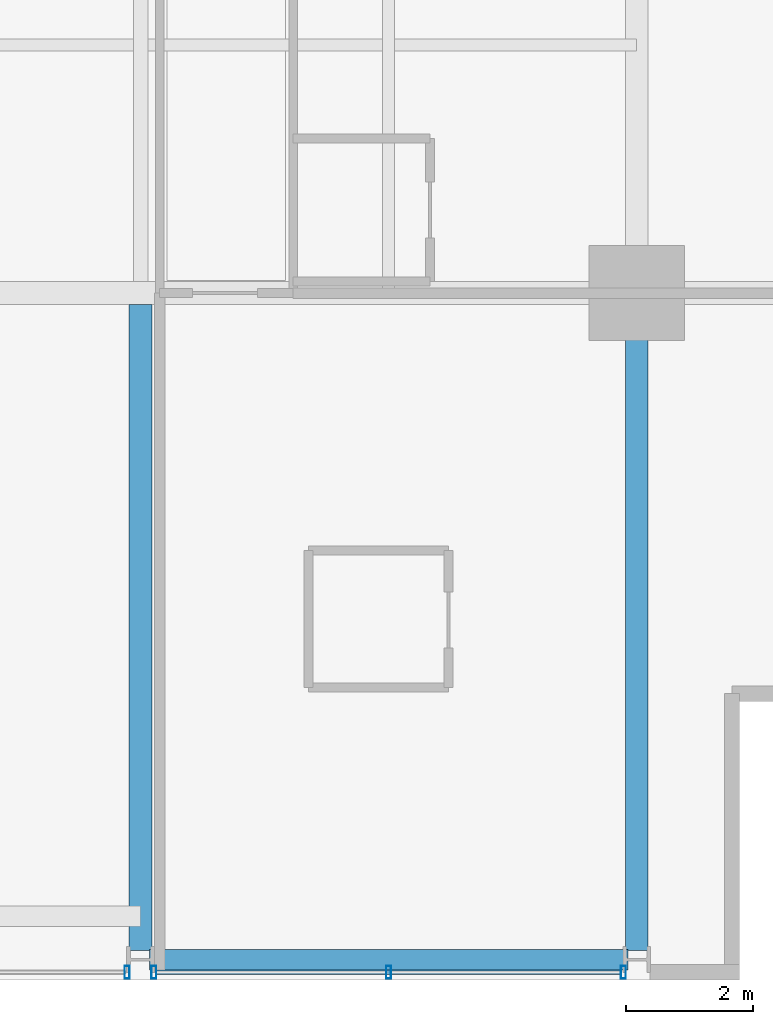
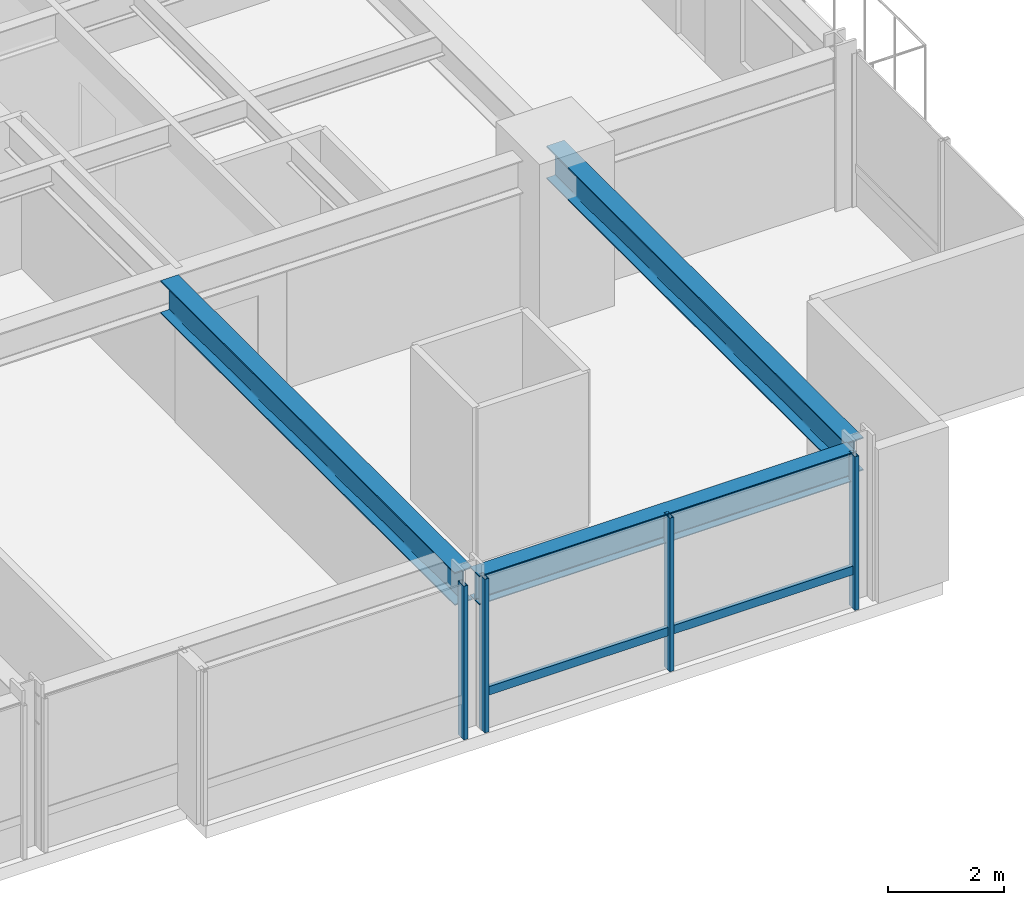
# One storey, part 11 of 33: 5 members, 3 beams, 2 elements without a shape of their own.
"""IFC4 building model written with IfcOpenShell, lengths in metres."""

import ifcopenshell
import ifcopenshell.guid

model = None  # the IFC model being written
_history = None  # IfcOwnerHistory: only IFC2X3 demands one
_inside = {}  # id of a spatial element -> (the spatial element, [elements in it])
_under = {}  # id of a project, library or spatial element -> (it, [spatial elements below it])
_declared = {}  # id of a project -> (the project, [libraries it declares])
_typed = {}  # id of a type object -> (the type object, [elements of that type])
_made_of = {}  # id of a material, layer set ... -> (it, [elements and type objects made of it])


def new_model(schema):
    """Start an empty IFC model of exactly this schema.

    Asked for "IFC4X3", IfcOpenShell would pick the latest addendum, in which some entities
    have other attributes; the version numbers below select the first issue.
    IFC2X3 requires an IfcOwnerHistory on every rooted entity: one is made here for all.
    """
    global model, _history
    if schema == "IFC4X3":
        model = ifcopenshell.file(schema_version=(4, 3, 0, 0))
    else:
        model = ifcopenshell.file(schema=schema)
    _inside.clear()
    _under.clear()
    _declared.clear()
    _typed.clear()
    _made_of.clear()
    _history = None
    if model.schema == "IFC2X3":
        org = make("IfcOrganization", Name="unknown")
        user = make(
            "IfcPersonAndOrganization",
            ThePerson=make("IfcPerson", FamilyName="unknown"),
            TheOrganization=org,
        )
        app = make(
            "IfcApplication",
            ApplicationDeveloper=org,
            Version="unknown",
            ApplicationFullName="unknown",
            ApplicationIdentifier="unknown",
        )
        _history = make(
            "IfcOwnerHistory",
            OwningUser=user,
            OwningApplication=app,
            ChangeAction="ADDED",
            CreationDate=0,
        )
    return model


def make(cls, **values):
    """One entity of the class cls with the attributes given. An attribute that is None is left unset."""
    return model.create_entity(
        cls, **{name: value for name, value in values.items() if value is not None}
    )


def rooted(cls, **values):
    """An entity with a GlobalId (a new one), such as an element, a storey or a relation."""
    return make(cls, GlobalId=ifcopenshell.guid.new(), OwnerHistory=_history, **values)


def si_unit(unit_type, name, prefix=None):
    """IfcSIUnit, for example si_unit("LENGTHUNIT", "METRE", prefix="MILLI")."""
    return make("IfcSIUnit", UnitType=unit_type, Prefix=prefix, Name=name)


def assignment(units):
    """IfcUnitAssignment: the units of a project."""
    return None if units is None else make("IfcUnitAssignment", Units=units)


def point(xyz):
    """IfcCartesianPoint."""
    return None if xyz is None else make("IfcCartesianPoint", Coordinates=xyz)


def direction(xyz):
    """IfcDirection."""
    return None if xyz is None else make("IfcDirection", DirectionRatios=xyz)


def frame(location, z_axis=None, x_axis=None):
    """IfcAxis2Placement3D, a coordinate frame: its origin and axes. An axis left out is left unset."""
    return make(
        "IfcAxis2Placement3D",
        Location=point(location),
        Axis=direction(z_axis),
        RefDirection=direction(x_axis),
    )


def frame_2d(location, x_axis=None):
    """IfcAxis2Placement2D, a coordinate frame in the plane: its origin and x axis."""
    return make(
        "IfcAxis2Placement2D", Location=point(location), RefDirection=direction(x_axis)
    )


def origin():
    """The frame at (0, 0, 0) with its axes left unset."""
    return frame((0.0, 0.0, 0.0))


def origin_2d():
    """The frame at (0, 0) in the plane with its x axis left unset."""
    return frame_2d((0.0, 0.0))


def place(relative_to, where):
    """IfcLocalPlacement: puts the frame where relative to a parent placement (None: the world)."""
    return make(
        "IfcLocalPlacement", PlacementRelTo=relative_to, RelativePlacement=where
    )


def context(
    kind, dimensions, precision=None, world=None, true_north=None, identifier=None
):
    """IfcGeometricRepresentationContext, for example the 3D "Model" context."""
    return make(
        "IfcGeometricRepresentationContext",
        ContextIdentifier=identifier,
        ContextType=kind,
        CoordinateSpaceDimension=dimensions,
        Precision=precision,
        WorldCoordinateSystem=world,
        TrueNorth=true_north,
    )


def subcontext(parent, identifier, kind, view, scale=None):
    """IfcGeometricRepresentationSubContext, for example "Body" below "Model"."""
    return make(
        "IfcGeometricRepresentationSubContext",
        ContextIdentifier=identifier,
        ContextType=kind,
        ParentContext=parent,
        TargetScale=scale,
        TargetView=view,
    )


def project(units=None, contexts=None):
    """IfcProject with its units and contexts."""
    return rooted(
        "IfcProject",
        Name="project",
        RepresentationContexts=contexts,
        UnitsInContext=assignment(units),
    )


def spatial(cls, under=None, at=None, **own):
    """A site, building, storey or space (cls), placed at a placement, below another one or the project."""
    s = rooted(cls, ObjectPlacement=at, **own)
    if under is not None:
        _under.setdefault(under.id(), (under, []))[1].append(s)
    return s


def profile(cls, at=None, kind="AREA", **sizes):
    """A parametric profile (cls). Its sizes go by their IFC names, for example OverallWidth=200.0."""
    return make(cls, ProfileType=kind, Position=at, **sizes)


def hollow_rectangle(**sizes):
    """IfcRectangleHollowProfileDef."""
    return profile("IfcRectangleHollowProfileDef", **sizes)


def i_section(**sizes):
    """IfcIShapeProfileDef."""
    return profile("IfcIShapeProfileDef", **sizes)


def extrude(swept, where, along, depth):
    """IfcExtrudedAreaSolid: the profile swept, set in the frame where, extruded along a direction by depth."""
    return make(
        "IfcExtrudedAreaSolid",
        SweptArea=swept,
        Position=where,
        ExtrudedDirection=direction(along),
        Depth=depth,
    )


def shape(context_of_items, identifier, shape_type, items):
    """IfcShapeRepresentation: the items that make up one representation, for example the "Body"."""
    return make(
        "IfcShapeRepresentation",
        ContextOfItems=context_of_items,
        RepresentationIdentifier=identifier,
        RepresentationType=shape_type,
        Items=items,
    )


def material(Name=None, Category=None):
    """IfcMaterial."""
    return make("IfcMaterial", Name=Name, Category=Category)


def layer(
    of_material, thickness, ventilated=None, Name=None, Category=None, Priority=None
):
    """IfcMaterialLayer: one layer of a wall or slab, of a material (None: an air gap)."""
    return make(
        "IfcMaterialLayer",
        Material=of_material,
        LayerThickness=thickness,
        IsVentilated=ventilated,
        Name=Name,
        Category=Category,
        Priority=Priority,
    )


def layer_set(layers, Name=None):
    """IfcMaterialLayerSet."""
    return make("IfcMaterialLayerSet", MaterialLayers=layers, LayerSetName=Name)


def material_profile(
    of_material, cross_section, Name=None, Category=None, Priority=None
):
    """IfcMaterialProfile: a cross section and its material."""
    return make(
        "IfcMaterialProfile",
        Name=Name,
        Material=of_material,
        Profile=cross_section,
        Priority=Priority,
        Category=Category,
    )


def profile_set(profiles, Name=None, composite=None):
    """IfcMaterialProfileSet."""
    return make(
        "IfcMaterialProfileSet",
        Name=Name,
        MaterialProfiles=profiles,
        CompositeProfile=composite,
    )


def made_of(thing, what):
    """Note that an element or type object is made of a material, layer set ...; save() writes the relation."""
    if what is not None:
        _made_of.setdefault(what.id(), (what, []))[1].append(thing)
    return thing


def type_object(cls, material=None, **own):
    """A type object (cls), such as IfcWallType, which elements share."""
    return made_of(rooted(cls, **own), material)


def element(
    cls,
    number,
    at=None,
    inside=None,
    cuts=None,
    type_object=None,
    material=None,
    context=None,
    identifier="Body",
    shape_type=None,
    held_by="IfcProductDefinitionShape",
    body=None,
    shapes=None,
    **own,
):
    """One element of the class cls, such as IfcWall. Its Tag is "e" and its number.

    at: its placement. inside: the storey or other place that contains it. cuts: it is an
    opening in that element (IfcRelVoidsElement). A single representation is given by context,
    identifier, shape_type and body (its items); several are given by shapes. held_by: the class
    of the entity that holds the representations. save() writes the other relations.
    """
    e = rooted(cls, Tag="e%d" % number, ObjectPlacement=at, **own)
    if body is not None:
        shapes = [shape(context, identifier, shape_type, body)]
    if shapes is not None:
        e.Representation = make(held_by, Representations=shapes)
    if inside is not None:
        _inside.setdefault(inside.id(), (inside, []))[1].append(e)
    if cuts is not None:
        rooted(
            "IfcRelVoidsElement", RelatingBuildingElement=cuts, RelatedOpeningElement=e
        )
    if type_object is not None:
        _typed.setdefault(type_object.id(), (type_object, []))[1].append(e)
    return made_of(e, material)


def aggregate(whole, parts):
    """IfcRelAggregates: a whole, such as a stair, and the parts it consists of."""
    return rooted("IfcRelAggregates", RelatingObject=whole, RelatedObjects=parts)


def save(model, path):
    """Write the relations noted so far, then the file.

    IfcRelAggregates (storeys below a building ...), IfcRelContainedInSpatialStructure (elements
    in a storey), IfcRelDefinesByType, IfcRelAssociatesMaterial and IfcRelDeclares: one each for
    every whole, place, type object, material and project.
    """
    for whole, parts in _under.values():
        aggregate(whole, parts)
    for where, things in _inside.values():
        rooted(
            "IfcRelContainedInSpatialStructure",
            RelatedElements=things,
            RelatingStructure=where,
        )
    for kind, things in _typed.values():
        rooted("IfcRelDefinesByType", RelatedObjects=things, RelatingType=kind)
    for what, things in _made_of.values():
        rooted("IfcRelAssociatesMaterial", RelatedObjects=things, RelatingMaterial=what)
    for by, libraries in _declared.values():
        rooted("IfcRelDeclares", RelatingContext=by, RelatedDefinitions=libraries)
    model.write(path)


model = new_model("IFC4")

# Units and contexts
model_context = context("Model", 3, precision=1e-05, world=origin(), true_north=direction((0.0, 1.0)))
body_context = subcontext(model_context, "Body", "Model", "MODEL_VIEW")
ifc_project = project(units=[si_unit("LENGTHUNIT", "METRE"), si_unit("AREAUNIT", "SQUARE_METRE"), si_unit("VOLUMEUNIT", "CUBIC_METRE"), si_unit("PLANEANGLEUNIT", "RADIAN"), si_unit("MASSUNIT", "GRAM", prefix="KILO")], contexts=[model_context])

# Site, building, storey
site_placement = place(None, origin())
site = spatial("IfcSite", under=ifc_project, at=site_placement, CompositionType="ELEMENT")
building_placement = place(site_placement, origin())
building = spatial("IfcBuilding", under=site, at=building_placement, Name="Drelvath Grand Hotel", CompositionType="ELEMENT")
storey_placement = place(building_placement, frame((0.0, 0.0, 119.800048828125)))
storey = spatial("IfcBuildingStorey", under=building, at=storey_placement, Name="L30", CompositionType="ELEMENT", Elevation=119.800048828125)

# Curtain wall, member
ifc_material_1 = material(Name="Champagne Bronze Anodised Aluminium Frame", Category="aluminium")
ifc_layer = layer(ifc_material_1, 0.199951171875)
ifc_layer_set = layer_set([ifc_layer], Name="Champagne Bronze Anodised Aluminium Frame")
curtain_wall_type = type_object("IfcCurtainWallType", Name="Stick Curtain Wall CW-03 Champagne Bronze Mid-Rise", PredefinedType="NOTDEFINED", material=ifc_layer_set)
curtain_wall_1_placement = place(storey_placement, origin())
curtain_wall_1 = element("IfcCurtainWall", 1, at=curtain_wall_1_placement, inside=storey, type_object=curtain_wall_type, Name="L30 CW-03 Curtain Wall CW03-L30-SE2", PredefinedType="NOTDEFINED")
ifc_material_profile_1 = material_profile(ifc_material_1, hollow_rectangle(XDim=0.074951171875, YDim=0.179931640625, WallThickness=0.0048828125, at=origin_2d()), Name="HSS180X75X5")
ifc_profile_set_1 = profile_set([ifc_material_profile_1], Name="Champagne Bronze Anodised Aluminium Frame")
member_type_1 = type_object("IfcMemberType", Name="Curtain Wall Horizontal Transom CW-03 HSS180X75X5", PredefinedType="USERDEFINED", material=ifc_profile_set_1)
member_1_placement = place(storey_placement, frame((15.95068359375, 0.1201171875, 0.81005859375), z_axis=(-1.0, 0.0, 0.0), x_axis=(0.0, -1.0, 0.0)))
member_1 = element("IfcMember", 2, at=member_1_placement, type_object=member_type_1, Name="CW03-L30-SE2 Sill Transom", ObjectType="TRANSOM", PredefinedType="USERDEFINED", context=body_context, shape_type="SweptSolid", body=[
    extrude(hollow_rectangle(XDim=0.074951171875, YDim=0.179931640625, WallThickness=0.0048828125, at=origin_2d()), origin(), (0.0, 0.0, 1.0), 7.30126953125),
])

curtain_wall_2_placement = place(storey_placement, origin())
curtain_wall_2 = element("IfcCurtainWall", 3, at=curtain_wall_2_placement, inside=storey, type_object=curtain_wall_type, Name="L30 CW-03 Curtain Wall CW03-L30-SE1", PredefinedType="NOTDEFINED")
ifc_material_profile_2 = material_profile(ifc_material_1, hollow_rectangle(XDim=0.080078125, YDim=0.199951171875, WallThickness=0.0048828125, at=origin_2d()), Name="HSS200X80X5")
ifc_profile_set_2 = profile_set([ifc_material_profile_2], Name="Champagne Bronze Anodised Aluminium Frame")
member_type_2 = type_object("IfcMemberType", Name="Curtain Wall Vertical Mullion CW-03 HSS200X80X5", PredefinedType="MULLION", material=ifc_profile_set_2)
member_2_placement = place(storey_placement, frame((8.190673828125, 0.1201171875, 0.0), z_axis=(0.0, 0.0, 1.0), x_axis=(1.0, 0.0, 0.0)))
member_2 = element("IfcMember", 4, at=member_2_placement, type_object=member_type_2, Name="CW03-L30-SE1 Mullion 1", PredefinedType="MULLION", context=body_context, shape_type="SweptSolid", body=[
    extrude(hollow_rectangle(XDim=0.080078125, YDim=0.199951171875, WallThickness=0.0048828125, at=origin_2d()), origin(), (0.0, 0.0, 1.0), 3.239990234375),
])
aggregate(curtain_wall_2, [member_2])

# Member
member_3_placement = place(storey_placement, frame((15.990478515625, 0.1201171875, 0.0), z_axis=(0.0, 0.0, 1.0), x_axis=(1.0, 0.0, 0.0)))
member_3 = element("IfcMember", 5, at=member_3_placement, type_object=member_type_2, Name="CW03-L30-SE2 Mullion 1", PredefinedType="MULLION", context=body_context, shape_type="SweptSolid", body=[
    extrude(hollow_rectangle(XDim=0.080078125, YDim=0.199951171875, WallThickness=0.0048828125, at=origin_2d()), origin(), (0.0, 0.0, 1.0), 3.239990234375),
])

member_4_placement = place(storey_placement, frame((12.300048828125, 0.1201171875, 0.0), z_axis=(0.0, 0.0, 1.0), x_axis=(1.0, 0.0, 0.0)))
member_4 = element("IfcMember", 6, at=member_4_placement, type_object=member_type_2, Name="CW03-L30-SE2 Mullion 2", PredefinedType="MULLION", context=body_context, shape_type="SweptSolid", body=[
    extrude(hollow_rectangle(XDim=0.080078125, YDim=0.199951171875, WallThickness=0.0048828125, at=origin_2d()), origin(), (0.0, 0.0, 1.0), 3.239990234375),
])

member_5_placement = place(storey_placement, frame((8.609375, 0.1201171875, 0.0), z_axis=(0.0, 0.0, 1.0), x_axis=(1.0, 0.0, 0.0)))
member_5 = element("IfcMember", 7, at=member_5_placement, type_object=member_type_2, Name="CW03-L30-SE2 Mullion 3", PredefinedType="MULLION", context=body_context, shape_type="SweptSolid", body=[
    extrude(hollow_rectangle(XDim=0.080078125, YDim=0.199951171875, WallThickness=0.0048828125, at=origin_2d()), origin(), (0.0, 0.0, 1.0), 3.239990234375),
])

aggregate(curtain_wall_1, [member_3, member_4, member_5, member_1])

# Beams
ifc_material_2 = material(Name="Steel ASTM A992 Gr 50", Category="steel")
ifc_material_profile_3 = material_profile(ifc_material_2, i_section(OverallWidth=0.323974609375, OverallDepth=0.611083984375, WebThickness=0.0126953125, FlangeThickness=0.01904296875, FilletRadius=0.02197265625, at=origin_2d()), Name="W24X104")
ifc_profile_set_3 = profile_set([ifc_material_profile_3], Name="Steel ASTM A992 Gr 50")
beam_type_1 = type_object("IfcBeamType", Name="Perimeter Spandrel Beam W24X104", PredefinedType="SPANDREL", material=ifc_profile_set_3)
beam_1_placement = place(storey_placement, frame((8.5400390625, 0.320068359375, 2.9345703125), z_axis=(1.0, 0.0, 0.0), x_axis=(0.0, 1.0, 0.0)))
element("IfcBeam", 8, at=beam_1_placement, inside=storey, type_object=beam_type_1, Name="L30 Spandrel South E", PredefinedType="SPANDREL", context=body_context, shape_type="SweptSolid", body=[
    extrude(i_section(OverallWidth=0.323974609375, OverallDepth=0.611083984375, WebThickness=0.0126953125, FlangeThickness=0.01904296875, FilletRadius=0.02197265625, at=origin_2d()), origin(), (0.0, 0.0, 1.0), 7.52001953125),
])
ifc_material_profile_4 = material_profile(ifc_material_2, i_section(OverallWidth=0.354736328125, OverallDepth=0.695556640625, WebThickness=0.015380859375, FlangeThickness=0.025146484375, FilletRadius=0.02392578125, at=origin_2d()), Name="W27X146")
ifc_profile_set_4 = profile_set([ifc_material_profile_4], Name="Steel ASTM A992 Gr 50")
beam_type_2 = type_object("IfcBeamType", Name="Primary Floor Girder W27X146", PredefinedType="BEAM", material=ifc_profile_set_4)
beam_2_placement = place(storey_placement, frame((16.199951171875, 0.4599609375, 2.892333984375), z_axis=(0.0, 1.0, 0.0), x_axis=(-1.0, 0.0, 0.0)))
element("IfcBeam", 9, at=beam_2_placement, inside=storey, type_object=beam_type_2, Name="L30 South Grid Girder 7", PredefinedType="BEAM", context=body_context, shape_type="SweptSolid", body=[
    extrude(i_section(OverallWidth=0.354736328125, OverallDepth=0.695556640625, WebThickness=0.015380859375, FlangeThickness=0.025146484375, FilletRadius=0.02392578125, at=origin_2d()), origin(), (0.0, 0.0, 1.0), 10.340087890625),
])
beam_3_placement = place(storey_placement, frame((8.39990234375, 0.4599609375, 2.892333984375), z_axis=(0.0, 1.0, 0.0), x_axis=(-1.0, 0.0, 0.0)))
element("IfcBeam", 10, at=beam_3_placement, inside=storey, type_object=beam_type_2, Name="L30 South Wing Girder 6", PredefinedType="BEAM", context=body_context, shape_type="SweptSolid", body=[
    extrude(i_section(OverallWidth=0.354736328125, OverallDepth=0.695556640625, WebThickness=0.015380859375, FlangeThickness=0.025146484375, FilletRadius=0.02392578125, at=origin_2d()), origin(), (0.0, 0.0, 1.0), 10.16259765625),
])

save(model, "model.ifc")
